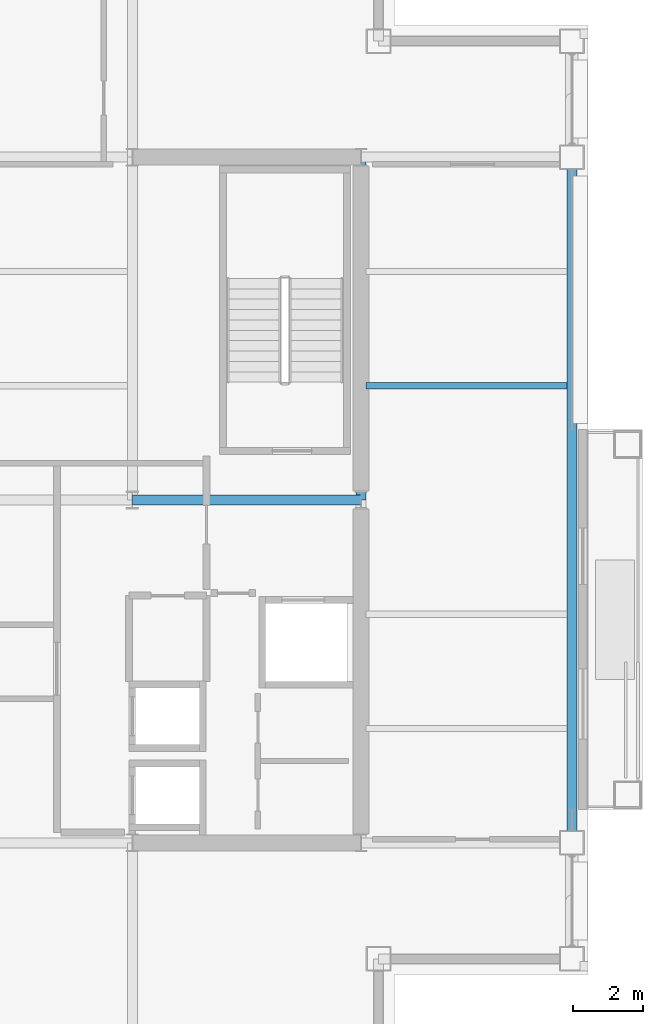
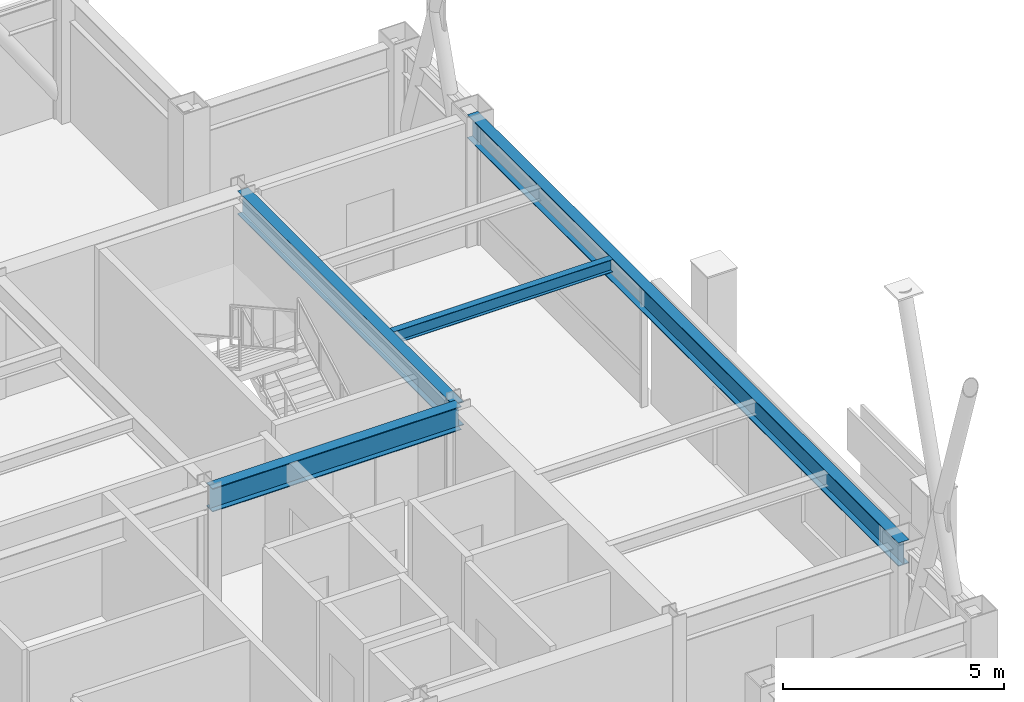
# One storey, part 17 of 33: 4 beams.
"""IFC4 building model written with IfcOpenShell, lengths in metres."""

import ifcopenshell
import ifcopenshell.guid

model = None  # the IFC model being written
_history = None  # IfcOwnerHistory: only IFC2X3 demands one
_inside = {}  # id of a spatial element -> (the spatial element, [elements in it])
_under = {}  # id of a project, library or spatial element -> (it, [spatial elements below it])
_declared = {}  # id of a project -> (the project, [libraries it declares])
_typed = {}  # id of a type object -> (the type object, [elements of that type])
_made_of = {}  # id of a material, layer set ... -> (it, [elements and type objects made of it])


def new_model(schema):
    """Start an empty IFC model of exactly this schema.

    Asked for "IFC4X3", IfcOpenShell would pick the latest addendum, in which some entities
    have other attributes; the version numbers below select the first issue.
    IFC2X3 requires an IfcOwnerHistory on every rooted entity: one is made here for all.
    """
    global model, _history
    if schema == "IFC4X3":
        model = ifcopenshell.file(schema_version=(4, 3, 0, 0))
    else:
        model = ifcopenshell.file(schema=schema)
    _inside.clear()
    _under.clear()
    _declared.clear()
    _typed.clear()
    _made_of.clear()
    _history = None
    if model.schema == "IFC2X3":
        org = make("IfcOrganization", Name="unknown")
        user = make(
            "IfcPersonAndOrganization",
            ThePerson=make("IfcPerson", FamilyName="unknown"),
            TheOrganization=org,
        )
        app = make(
            "IfcApplication",
            ApplicationDeveloper=org,
            Version="unknown",
            ApplicationFullName="unknown",
            ApplicationIdentifier="unknown",
        )
        _history = make(
            "IfcOwnerHistory",
            OwningUser=user,
            OwningApplication=app,
            ChangeAction="ADDED",
            CreationDate=0,
        )
    return model


def make(cls, **values):
    """One entity of the class cls with the attributes given. An attribute that is None is left unset."""
    return model.create_entity(
        cls, **{name: value for name, value in values.items() if value is not None}
    )


def rooted(cls, **values):
    """An entity with a GlobalId (a new one), such as an element, a storey or a relation."""
    return make(cls, GlobalId=ifcopenshell.guid.new(), OwnerHistory=_history, **values)


def si_unit(unit_type, name, prefix=None):
    """IfcSIUnit, for example si_unit("LENGTHUNIT", "METRE", prefix="MILLI")."""
    return make("IfcSIUnit", UnitType=unit_type, Prefix=prefix, Name=name)


def assignment(units):
    """IfcUnitAssignment: the units of a project."""
    return None if units is None else make("IfcUnitAssignment", Units=units)


def point(xyz):
    """IfcCartesianPoint."""
    return None if xyz is None else make("IfcCartesianPoint", Coordinates=xyz)


def direction(xyz):
    """IfcDirection."""
    return None if xyz is None else make("IfcDirection", DirectionRatios=xyz)


def frame(location, z_axis=None, x_axis=None):
    """IfcAxis2Placement3D, a coordinate frame: its origin and axes. An axis left out is left unset."""
    return make(
        "IfcAxis2Placement3D",
        Location=point(location),
        Axis=direction(z_axis),
        RefDirection=direction(x_axis),
    )


def frame_2d(location, x_axis=None):
    """IfcAxis2Placement2D, a coordinate frame in the plane: its origin and x axis."""
    return make(
        "IfcAxis2Placement2D", Location=point(location), RefDirection=direction(x_axis)
    )


def origin():
    """The frame at (0, 0, 0) with its axes left unset."""
    return frame((0.0, 0.0, 0.0))


def origin_2d():
    """The frame at (0, 0) in the plane with its x axis left unset."""
    return frame_2d((0.0, 0.0))


def place(relative_to, where):
    """IfcLocalPlacement: puts the frame where relative to a parent placement (None: the world)."""
    return make(
        "IfcLocalPlacement", PlacementRelTo=relative_to, RelativePlacement=where
    )


def context(
    kind, dimensions, precision=None, world=None, true_north=None, identifier=None
):
    """IfcGeometricRepresentationContext, for example the 3D "Model" context."""
    return make(
        "IfcGeometricRepresentationContext",
        ContextIdentifier=identifier,
        ContextType=kind,
        CoordinateSpaceDimension=dimensions,
        Precision=precision,
        WorldCoordinateSystem=world,
        TrueNorth=true_north,
    )


def subcontext(parent, identifier, kind, view, scale=None):
    """IfcGeometricRepresentationSubContext, for example "Body" below "Model"."""
    return make(
        "IfcGeometricRepresentationSubContext",
        ContextIdentifier=identifier,
        ContextType=kind,
        ParentContext=parent,
        TargetScale=scale,
        TargetView=view,
    )


def project(units=None, contexts=None):
    """IfcProject with its units and contexts."""
    return rooted(
        "IfcProject",
        Name="project",
        RepresentationContexts=contexts,
        UnitsInContext=assignment(units),
    )


def spatial(cls, under=None, at=None, **own):
    """A site, building, storey or space (cls), placed at a placement, below another one or the project."""
    s = rooted(cls, ObjectPlacement=at, **own)
    if under is not None:
        _under.setdefault(under.id(), (under, []))[1].append(s)
    return s


def profile(cls, at=None, kind="AREA", **sizes):
    """A parametric profile (cls). Its sizes go by their IFC names, for example OverallWidth=200.0."""
    return make(cls, ProfileType=kind, Position=at, **sizes)


def i_section(**sizes):
    """IfcIShapeProfileDef."""
    return profile("IfcIShapeProfileDef", **sizes)


def extrude(swept, where, along, depth):
    """IfcExtrudedAreaSolid: the profile swept, set in the frame where, extruded along a direction by depth."""
    return make(
        "IfcExtrudedAreaSolid",
        SweptArea=swept,
        Position=where,
        ExtrudedDirection=direction(along),
        Depth=depth,
    )


def shape(context_of_items, identifier, shape_type, items):
    """IfcShapeRepresentation: the items that make up one representation, for example the "Body"."""
    return make(
        "IfcShapeRepresentation",
        ContextOfItems=context_of_items,
        RepresentationIdentifier=identifier,
        RepresentationType=shape_type,
        Items=items,
    )


def material(Name=None, Category=None):
    """IfcMaterial."""
    return make("IfcMaterial", Name=Name, Category=Category)


def material_profile(
    of_material, cross_section, Name=None, Category=None, Priority=None
):
    """IfcMaterialProfile: a cross section and its material."""
    return make(
        "IfcMaterialProfile",
        Name=Name,
        Material=of_material,
        Profile=cross_section,
        Priority=Priority,
        Category=Category,
    )


def profile_set(profiles, Name=None, composite=None):
    """IfcMaterialProfileSet."""
    return make(
        "IfcMaterialProfileSet",
        Name=Name,
        MaterialProfiles=profiles,
        CompositeProfile=composite,
    )


def made_of(thing, what):
    """Note that an element or type object is made of a material, layer set ...; save() writes the relation."""
    if what is not None:
        _made_of.setdefault(what.id(), (what, []))[1].append(thing)
    return thing


def type_object(cls, material=None, **own):
    """A type object (cls), such as IfcWallType, which elements share."""
    return made_of(rooted(cls, **own), material)


def element(
    cls,
    number,
    at=None,
    inside=None,
    cuts=None,
    type_object=None,
    material=None,
    context=None,
    identifier="Body",
    shape_type=None,
    held_by="IfcProductDefinitionShape",
    body=None,
    shapes=None,
    **own,
):
    """One element of the class cls, such as IfcWall. Its Tag is "e" and its number.

    at: its placement. inside: the storey or other place that contains it. cuts: it is an
    opening in that element (IfcRelVoidsElement). A single representation is given by context,
    identifier, shape_type and body (its items); several are given by shapes. held_by: the class
    of the entity that holds the representations. save() writes the other relations.
    """
    e = rooted(cls, Tag="e%d" % number, ObjectPlacement=at, **own)
    if body is not None:
        shapes = [shape(context, identifier, shape_type, body)]
    if shapes is not None:
        e.Representation = make(held_by, Representations=shapes)
    if inside is not None:
        _inside.setdefault(inside.id(), (inside, []))[1].append(e)
    if cuts is not None:
        rooted(
            "IfcRelVoidsElement", RelatingBuildingElement=cuts, RelatedOpeningElement=e
        )
    if type_object is not None:
        _typed.setdefault(type_object.id(), (type_object, []))[1].append(e)
    return made_of(e, material)


def aggregate(whole, parts):
    """IfcRelAggregates: a whole, such as a stair, and the parts it consists of."""
    return rooted("IfcRelAggregates", RelatingObject=whole, RelatedObjects=parts)


def save(model, path):
    """Write the relations noted so far, then the file.

    IfcRelAggregates (storeys below a building ...), IfcRelContainedInSpatialStructure (elements
    in a storey), IfcRelDefinesByType, IfcRelAssociatesMaterial and IfcRelDeclares: one each for
    every whole, place, type object, material and project.
    """
    for whole, parts in _under.values():
        aggregate(whole, parts)
    for where, things in _inside.values():
        rooted(
            "IfcRelContainedInSpatialStructure",
            RelatedElements=things,
            RelatingStructure=where,
        )
    for kind, things in _typed.values():
        rooted("IfcRelDefinesByType", RelatedObjects=things, RelatingType=kind)
    for what, things in _made_of.values():
        rooted("IfcRelAssociatesMaterial", RelatedObjects=things, RelatingMaterial=what)
    for by, libraries in _declared.values():
        rooted("IfcRelDeclares", RelatingContext=by, RelatedDefinitions=libraries)
    model.write(path)


model = new_model("IFC4")

# Units and contexts
model_context = context("Model", 3, precision=1e-05, world=origin(), true_north=direction((0.0, 1.0)))
body_context = subcontext(model_context, "Body", "Model", "MODEL_VIEW")
ifc_project = project(units=[si_unit("LENGTHUNIT", "METRE"), si_unit("AREAUNIT", "SQUARE_METRE"), si_unit("VOLUMEUNIT", "CUBIC_METRE"), si_unit("PLANEANGLEUNIT", "RADIAN"), si_unit("MASSUNIT", "GRAM", prefix="KILO")], contexts=[model_context])

# Site, building, storey
site_placement = place(None, origin())
site = spatial("IfcSite", under=ifc_project, at=site_placement, CompositionType="ELEMENT")
building_placement = place(site_placement, origin())
building = spatial("IfcBuilding", under=site, at=building_placement, Name="Brelmoor Portico Tower", CompositionType="ELEMENT")
storey_placement = place(building_placement, frame((0.0, 0.0, 194.699951171875)))
storey = spatial("IfcBuildingStorey", under=building, at=storey_placement, Name="L51", CompositionType="ELEMENT", Elevation=194.699951171875)

# Beams
ifc_material = material(Name="Steel Q355B", Category="steel")
ifc_material_profile_1 = material_profile(ifc_material, i_section(OverallWidth=0.175048828125, OverallDepth=0.35009765625, WebThickness=0.007080078125, FlangeThickness=0.010986328125, at=origin_2d()), Name="HN 350x175x7x11")
ifc_profile_set_1 = profile_set([ifc_material_profile_1], Name="Steel Q355B")
beam_type_1 = type_object("IfcBeamType", Name="BM-JS-350", PredefinedType="JOIST", material=ifc_profile_set_1)
beam_1_placement = place(storey_placement, frame((14.68994140625, 3.25, 3.22509765625), z_axis=(1.0, 0.0, 0.0), x_axis=(0.0, 1.0, 0.0)))
element("IfcBeam", 1, at=beam_1_placement, inside=storey, type_object=beam_type_1, Name="L51 Secondary Wing Joist JS-E11", PredefinedType="JOIST", context=body_context, shape_type="SweptSolid", body=[
    extrude(i_section(OverallWidth=0.175048828125, OverallDepth=0.35009765625, WebThickness=0.007080078125, FlangeThickness=0.010986328125, at=origin_2d()), origin(), (0.0, 0.0, 1.0), 5.719970703125),
])
ifc_material_profile_2 = material_profile(ifc_material, i_section(OverallWidth=0.280029296875, OverallDepth=0.64990234375, WebThickness=0.012939453125, FlangeThickness=0.02197265625, at=origin_2d()), Name="HN 650x280x13x22")
ifc_profile_set_2 = profile_set([ifc_material_profile_2], Name="Steel Q355B")
beam_type_2 = type_object("IfcBeamType", Name="BM-PG-650", PredefinedType="BEAM", material=ifc_profile_set_2)
beam_2_placement = place(storey_placement, frame((14.550048828125, 0.0, 3.074951171875), z_axis=(0.0, 1.0, 0.0), x_axis=(-1.0, 0.0, 0.0)))
element("IfcBeam", 2, at=beam_2_placement, inside=storey, type_object=beam_type_2, Name="L51 Primary Floor Girder PG-10", PredefinedType="BEAM", context=body_context, shape_type="SweptSolid", body=[
    extrude(i_section(OverallWidth=0.280029296875, OverallDepth=0.64990234375, WebThickness=0.012939453125, FlangeThickness=0.02197265625, at=origin_2d()), origin(), (0.0, 0.0, 1.0), 9.75),
])
beam_3_placement = place(storey_placement, frame((8.050048828125, 0.0, 3.074951171875), z_axis=(1.0, 0.0, 0.0), x_axis=(0.0, 1.0, 0.0)))
element("IfcBeam", 3, at=beam_3_placement, inside=storey, type_object=beam_type_2, Name="L51 Primary Floor Girder PG-18", PredefinedType="BEAM", context=body_context, shape_type="SweptSolid", body=[
    extrude(i_section(OverallWidth=0.280029296875, OverallDepth=0.64990234375, WebThickness=0.012939453125, FlangeThickness=0.02197265625, at=origin_2d()), origin(), (0.0, 0.0, 1.0), 6.5),
])
ifc_material_profile_3 = material_profile(ifc_material, i_section(OverallWidth=0.280029296875, OverallDepth=0.64990234375, WebThickness=0.012939453125, FlangeThickness=0.02197265625, at=origin_2d()), Name="HN 650x280x13x22")
ifc_profile_set_3 = profile_set([ifc_material_profile_3], Name="Steel Q355B")
beam_type_3 = type_object("IfcBeamType", Name="BM-SP-650", PredefinedType="SPANDREL", material=ifc_profile_set_3)
beam_4_placement = place(storey_placement, frame((20.550048828125, -9.75, 3.074951171875), z_axis=(0.0, 1.0, 0.0), x_axis=(-1.0, 0.0, 0.0)))
element("IfcBeam", 4, at=beam_4_placement, inside=storey, type_object=beam_type_3, Name="L51 Perimeter Spandrel Beam SP-19", PredefinedType="SPANDREL", context=body_context, shape_type="SweptSolid", body=[
    extrude(i_section(OverallWidth=0.280029296875, OverallDepth=0.64990234375, WebThickness=0.012939453125, FlangeThickness=0.02197265625, at=origin_2d()), origin(), (0.0, 0.0, 1.0), 19.5),
])

save(model, "model.ifc")
